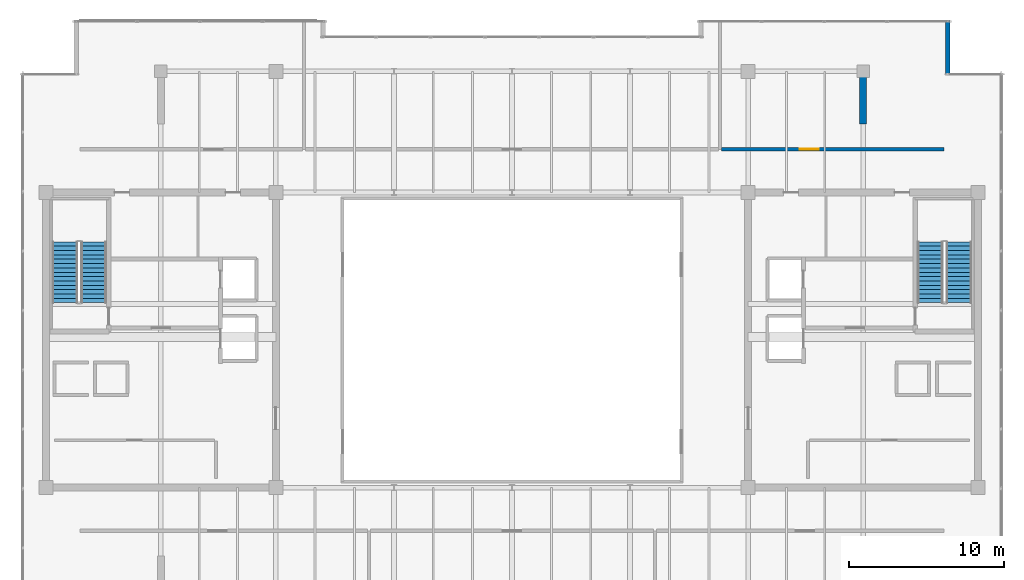
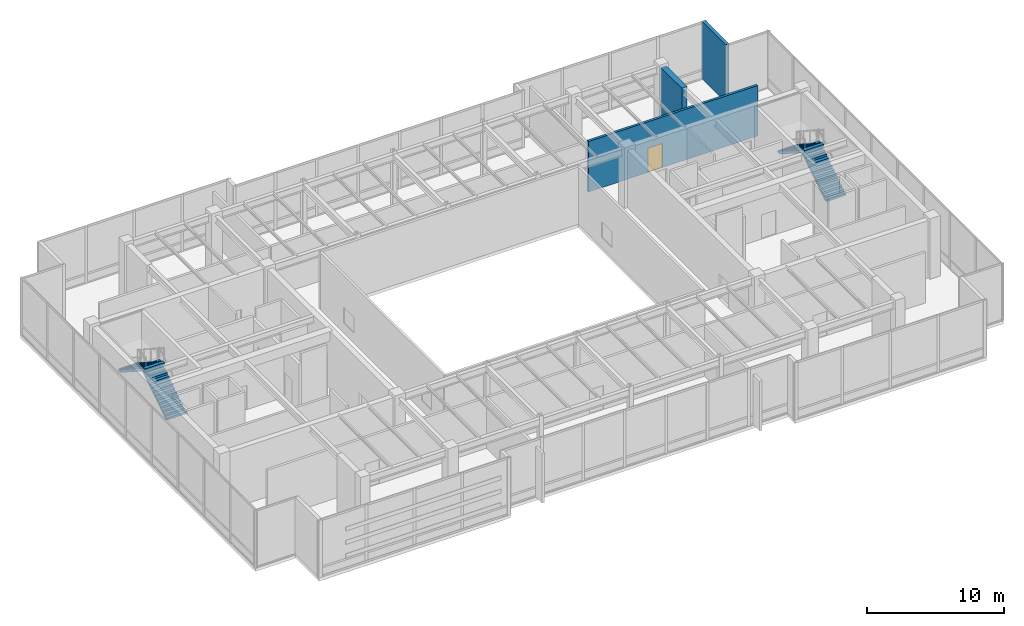
# One storey, part 27 of 30: 4 stair flights, 3 walls, 1 door, 1 opening, 2 elements without a shape of their own.
"""IFC4 building model written with IfcOpenShell, lengths in metres."""

from ifc_helpers import new_model, si_unit, direction, frame, frame_2d, origin, place, context, subcontext, project, spatial, polyline, rectangle, outline, extrude, source, transform, mapped, material, layer, layer_set, type_object, type_shapes, element, fill, aggregate, save


model = new_model("IFC4")

# Units and contexts
model_context = context("Model", 3, precision=1e-05, world=origin(), true_north=direction((0.0, 1.0)))
body_context = subcontext(model_context, "Body", "Model", "MODEL_VIEW")
ifc_project = project(units=[si_unit("LENGTHUNIT", "METRE"), si_unit("AREAUNIT", "SQUARE_METRE"), si_unit("VOLUMEUNIT", "CUBIC_METRE"), si_unit("PLANEANGLEUNIT", "RADIAN"), si_unit("MASSUNIT", "GRAM", prefix="KILO")], contexts=[model_context])

# Site, building, storey
site_placement = place(None, origin())
site = spatial("IfcSite", under=ifc_project, at=site_placement, CompositionType="ELEMENT")
building_placement = place(site_placement, origin())
building = spatial("IfcBuilding", under=site, at=building_placement, Name="Haelvirn Gate Laboratories", CompositionType="ELEMENT")
storey_placement = place(building_placement, frame((0.0, 0.0, 327.0)))
storey = spatial("IfcBuildingStorey", under=building, at=storey_placement, Name="L78", CompositionType="ELEMENT", Elevation=327.0)

# Wall
ifc_material_1 = material(Name="Thermally-broken bronze aluminium rainscreen & mineral wool", Category="aluminium")
ifc_layer_1 = layer(ifc_material_1, 0.280029296875, Name="EW-TERR-280")
ifc_layer_set_1 = layer_set([ifc_layer_1], Name="Thermally-broken bronze aluminium rainscreen & mineral wool")
wall_type_1 = type_object("IfcWallType", Name="EW-TERR-280", PredefinedType="STANDARD", material=ifc_layer_set_1)
wall_1_placement = place(storey_placement, frame((65.4599609375, 41.412109375, 0.0), z_axis=(0.0, 0.0, 1.0), x_axis=(0.0, 1.0, 0.0)))
element("IfcWall", 1, at=wall_1_placement, inside=storey, type_object=wall_type_1, Name="L78 Atrium Recess Bronze Return Wall 09", PredefinedType="STANDARD", context=body_context, shape_type="SweptSolid", body=[
    extrude(rectangle(XDim=3.48779296875, YDim=0.280029296875, at=frame_2d((1.743896484375, 0.0))), origin(), (0.0, 0.0, 1.0), 5.1201171875),
])

# Wall, opening, door
ifc_material_2 = material(Name="Concrete C40/50", Category="concrete")
ifc_layer_2 = layer(ifc_material_2, 0.199951171875, Name="IW-SHAFT-200")
ifc_layer_set_2 = layer_set([ifc_layer_2], Name="Concrete C40/50")
wall_type_2 = type_object("IfcWallType", Name="IW-SHAFT-200", PredefinedType="SOLIDWALL", material=ifc_layer_set_2)
wall_2_placement = place(storey_placement, frame((50.89990234375, 36.580078125, 0.0), z_axis=(0.0, 0.0, 1.0), x_axis=(1.0, 0.0, 0.0)))
wall_2 = element("IfcWall", 2, at=wall_2_placement, inside=storey, type_object=wall_type_2, Name="L78 Interior Wall IW-L78-PNW-3", PredefinedType="SOLIDWALL", context=body_context, shape_type="SweptSolid", body=[
    extrude(rectangle(XDim=14.300048828125, YDim=0.199951171875, at=frame_2d((7.14990234375, 0.0))), origin(), (0.0, 0.0, 1.0), 4.51708984375),
])
opening_placement = place(wall_2_placement, frame((5.032470703125, 0.0, 0.0)))
opening = element("IfcOpeningElement", 3, at=opening_placement, cuts=wall_2, Name="Opening FD2", PredefinedType="OPENING", context=body_context, shape_type="SweptSolid", body=[
    extrude(rectangle(XDim=1.199951171875, YDim=2.159912109375, at=frame_2d((0.60009765625, 1.080078125))), frame((0.0, 0.10986328125, 0.0), z_axis=(0.0, -1.0, 0.0), x_axis=(1.0, 0.0, 0.0)), (0.0, 0.0, 1.0), 0.219970703125),
])
ifc_material_3 = material(Name="Fire-rated steel SM355 compartment door", Category="steel")
door_type = type_object("IfcDoorType", Name="DR-FD-1200", OperationType="NOTDEFINED", PredefinedType="DOOR", material=ifc_material_3)
shared_shape_1 = source(origin(), body_context, "Body", "SweptSolid", [
    extrude(rectangle(XDim=1.199951171875, YDim=2.159912109375, at=frame_2d((0.60009765625, 1.080078125))), frame((0.0, 0.02490234375, 0.0), z_axis=(0.0, -1.0, 0.0), x_axis=(1.0, 0.0, 0.0)), (0.0, 0.0, 1.0), 0.050048828125),
])
type_shapes(door_type, [shared_shape_1])
door_placement = place(opening_placement, origin())
door = element("IfcDoor", 4, at=door_placement, inside=storey, type_object=door_type, Name="L78 Crown Emergency Switchgear Plant Fire Door", OperationType="SINGLE_SWING_RIGHT", OverallHeight=2.159912109375, OverallWidth=1.199951171875, PredefinedType="DOOR", context=body_context, shape_type="MappedRepresentation", body=[
    mapped(shared_shape_1, transform((0.0, 0.0, 0.0), scale=1.0)),
])
fill(opening, door)

# Wall
ifc_material_4 = material(Name="Concrete C50/60", Category="concrete")
ifc_layer_3 = layer(ifc_material_4, 0.449951171875, Name="SW-CORE-450")
ifc_layer_set_3 = layer_set([ifc_layer_3], Name="Concrete C50/60")
wall_type_3 = type_object("IfcWallType", Name="SW-CORE-450", PredefinedType="SHEAR", material=ifc_layer_set_3)
wall_3_placement = place(storey_placement, frame((60.0, 38.199951171875, 0.0), z_axis=(0.0, 0.0, 1.0), x_axis=(0.0, 1.0, 0.0)))
element("IfcWall", 5, at=wall_3_placement, inside=storey, type_object=wall_type_3, Name="L78 Transverse Slab Shear Wall E-N", PredefinedType="SHEAR", context=body_context, shape_type="SweptSolid", body=[
    extrude(rectangle(XDim=3.10009765625, YDim=0.449951171875, at=frame_2d((1.550048828125, 0.0))), origin(), (0.0, 0.0, 1.0), 5.1201171875),
])

# Stair, stair flights
stair_type = type_object("IfcStairType", Name="ST-DOG-1650-R30", PredefinedType="HALF_TURN_STAIR", material=ifc_material_2)
stair_1_placement = place(storey_placement, origin())
stair_1 = element("IfcStair", 6, at=stair_1_placement, inside=storey, type_object=stair_type, Name="L78 Escape Stair ST1", PredefinedType="HALF_TURN_STAIR")
stair_flight_type = type_object("IfcStairFlightType", Name="STF-1650-R15", PredefinedType="STRAIGHT", material=ifc_material_2)
shared_shape_2 = source(origin(), body_context, "Body", "SweptSolid", [
    extrude(outline(polyline([(0.0, 0.0), (0.0, 0.179931640625), (0.280029296875, 0.179931640625), (0.280029296875, 0.360107421875), (0.56005859375, 0.360107421875), (0.56005859375, 0.5400390625), (0.840087890625, 0.5400390625), (0.840087890625, 0.719970703125), (1.1201171875, 0.719970703125), (1.1201171875, 0.89990234375), (1.39990234375, 0.89990234375), (1.39990234375, 1.080078125), (1.679931640625, 1.080078125), (1.679931640625, 1.260009765625), (1.9599609375, 1.260009765625), (1.9599609375, 1.43994140625), (2.239990234375, 1.43994140625), (2.239990234375, 1.6201171875), (2.52001953125, 1.6201171875), (2.52001953125, 1.800048828125), (2.800048828125, 1.800048828125), (2.800048828125, 1.97998046875), (3.080078125, 1.97998046875), (3.080078125, 2.159912109375), (3.360107421875, 2.159912109375), (3.360107421875, 2.340087890625), (3.639892578125, 2.340087890625), (3.639892578125, 2.52001953125), (3.919921875, 2.52001953125), (3.919921875, 2.699951171875), (3.919921875, 2.329833984375), (0.295654296875, 0.0), (0.0, 0.0)])), frame((0.0, 0.824951171875, 0.0), z_axis=(0.0, -1.0, 0.0), x_axis=(1.0, 0.0, 0.0)), (0.0, 0.0, 1.0), 1.64990234375),
])
type_shapes(stair_flight_type, [shared_shape_2])
stair_flight_1_placement = place(storey_placement, frame((10.47509765625, 26.699951171875, 0.0), z_axis=(0.0, 0.0, 1.0), x_axis=(0.0, 1.0, 0.0)))
stair_flight_1 = element("IfcStairFlight", 7, at=stair_flight_1_placement, type_object=stair_flight_type, Name="ST1 flight 1", NumberOfRisers=15, NumberOfTreads=14, PredefinedType="STRAIGHT", RiserHeight=0.18, TreadLength=0.28, context=body_context, shape_type="MappedRepresentation", body=[
    mapped(shared_shape_2, transform((0.0, 0.0, 0.0), scale=1.0)),
])
stair_flight_2_placement = place(storey_placement, frame((8.625, 30.6201171875, 2.699951171875), z_axis=(0.0, 0.0, 1.0), x_axis=(0.0, -1.0, 0.0)))
stair_flight_2 = element("IfcStairFlight", 8, at=stair_flight_2_placement, type_object=stair_flight_type, Name="ST1 flight 2", NumberOfRisers=15, NumberOfTreads=14, PredefinedType="STRAIGHT", RiserHeight=0.18, TreadLength=0.28, context=body_context, shape_type="MappedRepresentation", body=[
    mapped(shared_shape_2, transform((0.0, 0.0, 0.0), scale=1.0)),
])
aggregate(stair_1, [stair_flight_1, stair_flight_2])

stair_2_placement = place(storey_placement, origin())
stair_2 = element("IfcStair", 9, at=stair_2_placement, inside=storey, type_object=stair_type, Name="L78 Escape Stair ST2", PredefinedType="HALF_TURN_STAIR")
stair_flight_3_placement = place(storey_placement, frame((66.175048828125, 26.699951171875, 0.0), z_axis=(0.0, 0.0, 1.0), x_axis=(0.0, 1.0, 0.0)))
stair_flight_3 = element("IfcStairFlight", 10, at=stair_flight_3_placement, type_object=stair_flight_type, Name="ST2 flight 1", NumberOfRisers=15, NumberOfTreads=14, PredefinedType="STRAIGHT", RiserHeight=0.18, TreadLength=0.28, context=body_context, shape_type="MappedRepresentation", body=[
    mapped(shared_shape_2, transform((0.0, 0.0, 0.0), scale=1.0)),
])
stair_flight_4_placement = place(storey_placement, frame((64.324951171875, 30.6201171875, 2.699951171875), z_axis=(0.0, 0.0, 1.0), x_axis=(0.0, -1.0, 0.0)))
stair_flight_4 = element("IfcStairFlight", 11, at=stair_flight_4_placement, type_object=stair_flight_type, Name="ST2 flight 2", NumberOfRisers=15, NumberOfTreads=14, PredefinedType="STRAIGHT", RiserHeight=0.18, TreadLength=0.28, context=body_context, shape_type="MappedRepresentation", body=[
    mapped(shared_shape_2, transform((0.0, 0.0, 0.0), scale=1.0)),
])
aggregate(stair_2, [stair_flight_3, stair_flight_4])

save(model, "model.ifc")
